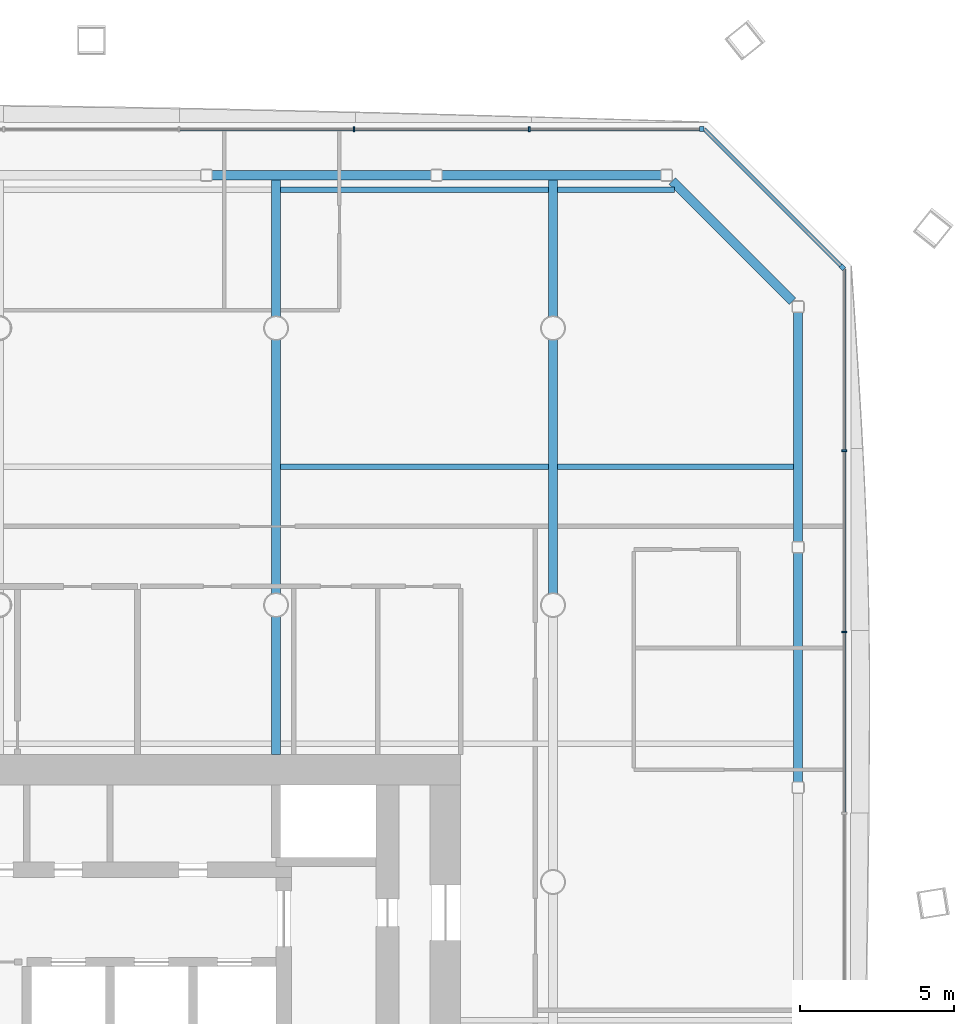
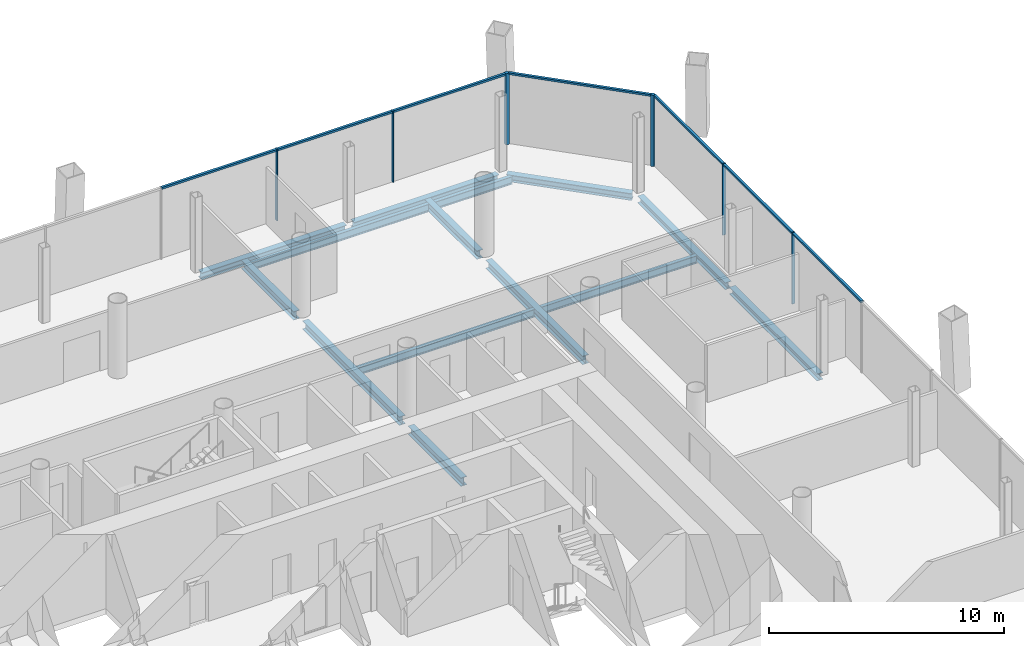
# One storey, part 9 of 19: 14 beams, 13 members, 3 elements without a shape of their own.
"""IFC4 building model written with IfcOpenShell, lengths in metres."""

import ifcopenshell
import ifcopenshell.guid

model = None  # the IFC model being written
_history = None  # IfcOwnerHistory: only IFC2X3 demands one
_inside = {}  # id of a spatial element -> (the spatial element, [elements in it])
_under = {}  # id of a project, library or spatial element -> (it, [spatial elements below it])
_declared = {}  # id of a project -> (the project, [libraries it declares])
_typed = {}  # id of a type object -> (the type object, [elements of that type])
_made_of = {}  # id of a material, layer set ... -> (it, [elements and type objects made of it])


def new_model(schema):
    """Start an empty IFC model of exactly this schema.

    Asked for "IFC4X3", IfcOpenShell would pick the latest addendum, in which some entities
    have other attributes; the version numbers below select the first issue.
    IFC2X3 requires an IfcOwnerHistory on every rooted entity: one is made here for all.
    """
    global model, _history
    if schema == "IFC4X3":
        model = ifcopenshell.file(schema_version=(4, 3, 0, 0))
    else:
        model = ifcopenshell.file(schema=schema)
    _inside.clear()
    _under.clear()
    _declared.clear()
    _typed.clear()
    _made_of.clear()
    _history = None
    if model.schema == "IFC2X3":
        org = make("IfcOrganization", Name="unknown")
        user = make(
            "IfcPersonAndOrganization",
            ThePerson=make("IfcPerson", FamilyName="unknown"),
            TheOrganization=org,
        )
        app = make(
            "IfcApplication",
            ApplicationDeveloper=org,
            Version="unknown",
            ApplicationFullName="unknown",
            ApplicationIdentifier="unknown",
        )
        _history = make(
            "IfcOwnerHistory",
            OwningUser=user,
            OwningApplication=app,
            ChangeAction="ADDED",
            CreationDate=0,
        )
    return model


def make(cls, **values):
    """One entity of the class cls with the attributes given. An attribute that is None is left unset."""
    return model.create_entity(
        cls, **{name: value for name, value in values.items() if value is not None}
    )


def rooted(cls, **values):
    """An entity with a GlobalId (a new one), such as an element, a storey or a relation."""
    return make(cls, GlobalId=ifcopenshell.guid.new(), OwnerHistory=_history, **values)


def si_unit(unit_type, name, prefix=None):
    """IfcSIUnit, for example si_unit("LENGTHUNIT", "METRE", prefix="MILLI")."""
    return make("IfcSIUnit", UnitType=unit_type, Prefix=prefix, Name=name)


def assignment(units):
    """IfcUnitAssignment: the units of a project."""
    return None if units is None else make("IfcUnitAssignment", Units=units)


def point(xyz):
    """IfcCartesianPoint."""
    return None if xyz is None else make("IfcCartesianPoint", Coordinates=xyz)


def direction(xyz):
    """IfcDirection."""
    return None if xyz is None else make("IfcDirection", DirectionRatios=xyz)


def frame(location, z_axis=None, x_axis=None):
    """IfcAxis2Placement3D, a coordinate frame: its origin and axes. An axis left out is left unset."""
    return make(
        "IfcAxis2Placement3D",
        Location=point(location),
        Axis=direction(z_axis),
        RefDirection=direction(x_axis),
    )


def frame_2d(location, x_axis=None):
    """IfcAxis2Placement2D, a coordinate frame in the plane: its origin and x axis."""
    return make(
        "IfcAxis2Placement2D", Location=point(location), RefDirection=direction(x_axis)
    )


def origin():
    """The frame at (0, 0, 0) with its axes left unset."""
    return frame((0.0, 0.0, 0.0))


def origin_2d():
    """The frame at (0, 0) in the plane with its x axis left unset."""
    return frame_2d((0.0, 0.0))


def place(relative_to, where):
    """IfcLocalPlacement: puts the frame where relative to a parent placement (None: the world)."""
    return make(
        "IfcLocalPlacement", PlacementRelTo=relative_to, RelativePlacement=where
    )


def context(
    kind, dimensions, precision=None, world=None, true_north=None, identifier=None
):
    """IfcGeometricRepresentationContext, for example the 3D "Model" context."""
    return make(
        "IfcGeometricRepresentationContext",
        ContextIdentifier=identifier,
        ContextType=kind,
        CoordinateSpaceDimension=dimensions,
        Precision=precision,
        WorldCoordinateSystem=world,
        TrueNorth=true_north,
    )


def subcontext(parent, identifier, kind, view, scale=None):
    """IfcGeometricRepresentationSubContext, for example "Body" below "Model"."""
    return make(
        "IfcGeometricRepresentationSubContext",
        ContextIdentifier=identifier,
        ContextType=kind,
        ParentContext=parent,
        TargetScale=scale,
        TargetView=view,
    )


def project(units=None, contexts=None):
    """IfcProject with its units and contexts."""
    return rooted(
        "IfcProject",
        Name="project",
        RepresentationContexts=contexts,
        UnitsInContext=assignment(units),
    )


def spatial(cls, under=None, at=None, **own):
    """A site, building, storey or space (cls), placed at a placement, below another one or the project."""
    s = rooted(cls, ObjectPlacement=at, **own)
    if under is not None:
        _under.setdefault(under.id(), (under, []))[1].append(s)
    return s


def profile(cls, at=None, kind="AREA", **sizes):
    """A parametric profile (cls). Its sizes go by their IFC names, for example OverallWidth=200.0."""
    return make(cls, ProfileType=kind, Position=at, **sizes)


def rectangle(**sizes):
    """IfcRectangleProfileDef."""
    return profile("IfcRectangleProfileDef", **sizes)


def i_section(**sizes):
    """IfcIShapeProfileDef."""
    return profile("IfcIShapeProfileDef", **sizes)


def extrude(swept, where, along, depth):
    """IfcExtrudedAreaSolid: the profile swept, set in the frame where, extruded along a direction by depth."""
    return make(
        "IfcExtrudedAreaSolid",
        SweptArea=swept,
        Position=where,
        ExtrudedDirection=direction(along),
        Depth=depth,
    )


def shape(context_of_items, identifier, shape_type, items):
    """IfcShapeRepresentation: the items that make up one representation, for example the "Body"."""
    return make(
        "IfcShapeRepresentation",
        ContextOfItems=context_of_items,
        RepresentationIdentifier=identifier,
        RepresentationType=shape_type,
        Items=items,
    )


def material(Name=None, Category=None):
    """IfcMaterial."""
    return make("IfcMaterial", Name=Name, Category=Category)


def material_profile(
    of_material, cross_section, Name=None, Category=None, Priority=None
):
    """IfcMaterialProfile: a cross section and its material."""
    return make(
        "IfcMaterialProfile",
        Name=Name,
        Material=of_material,
        Profile=cross_section,
        Priority=Priority,
        Category=Category,
    )


def profile_set(profiles, Name=None, composite=None):
    """IfcMaterialProfileSet."""
    return make(
        "IfcMaterialProfileSet",
        Name=Name,
        MaterialProfiles=profiles,
        CompositeProfile=composite,
    )


def made_of(thing, what):
    """Note that an element or type object is made of a material, layer set ...; save() writes the relation."""
    if what is not None:
        _made_of.setdefault(what.id(), (what, []))[1].append(thing)
    return thing


def type_object(cls, material=None, **own):
    """A type object (cls), such as IfcWallType, which elements share."""
    return made_of(rooted(cls, **own), material)


def element(
    cls,
    number,
    at=None,
    inside=None,
    cuts=None,
    type_object=None,
    material=None,
    context=None,
    identifier="Body",
    shape_type=None,
    held_by="IfcProductDefinitionShape",
    body=None,
    shapes=None,
    **own,
):
    """One element of the class cls, such as IfcWall. Its Tag is "e" and its number.

    at: its placement. inside: the storey or other place that contains it. cuts: it is an
    opening in that element (IfcRelVoidsElement). A single representation is given by context,
    identifier, shape_type and body (its items); several are given by shapes. held_by: the class
    of the entity that holds the representations. save() writes the other relations.
    """
    e = rooted(cls, Tag="e%d" % number, ObjectPlacement=at, **own)
    if body is not None:
        shapes = [shape(context, identifier, shape_type, body)]
    if shapes is not None:
        e.Representation = make(held_by, Representations=shapes)
    if inside is not None:
        _inside.setdefault(inside.id(), (inside, []))[1].append(e)
    if cuts is not None:
        rooted(
            "IfcRelVoidsElement", RelatingBuildingElement=cuts, RelatedOpeningElement=e
        )
    if type_object is not None:
        _typed.setdefault(type_object.id(), (type_object, []))[1].append(e)
    return made_of(e, material)


def aggregate(whole, parts):
    """IfcRelAggregates: a whole, such as a stair, and the parts it consists of."""
    return rooted("IfcRelAggregates", RelatingObject=whole, RelatedObjects=parts)


def save(model, path):
    """Write the relations noted so far, then the file.

    IfcRelAggregates (storeys below a building ...), IfcRelContainedInSpatialStructure (elements
    in a storey), IfcRelDefinesByType, IfcRelAssociatesMaterial and IfcRelDeclares: one each for
    every whole, place, type object, material and project.
    """
    for whole, parts in _under.values():
        aggregate(whole, parts)
    for where, things in _inside.values():
        rooted(
            "IfcRelContainedInSpatialStructure",
            RelatedElements=things,
            RelatingStructure=where,
        )
    for kind, things in _typed.values():
        rooted("IfcRelDefinesByType", RelatedObjects=things, RelatingType=kind)
    for what, things in _made_of.values():
        rooted("IfcRelAssociatesMaterial", RelatedObjects=things, RelatingMaterial=what)
    for by, libraries in _declared.values():
        rooted("IfcRelDeclares", RelatingContext=by, RelatedDefinitions=libraries)
    model.write(path)


model = new_model("IFC4")

# Units and contexts
model_context = context("Model", 3, precision=1e-05, world=origin(), true_north=direction((0.0, 1.0)))
body_context = subcontext(model_context, "Body", "Model", "MODEL_VIEW")
ifc_project = project(units=[si_unit("LENGTHUNIT", "METRE"), si_unit("AREAUNIT", "SQUARE_METRE"), si_unit("VOLUMEUNIT", "CUBIC_METRE"), si_unit("PLANEANGLEUNIT", "RADIAN"), si_unit("MASSUNIT", "GRAM", prefix="KILO")], contexts=[model_context])

# Site, building, storey
site_placement = place(None, origin())
site = spatial("IfcSite", under=ifc_project, at=site_placement, CompositionType="ELEMENT")
building_placement = place(site_placement, origin())
building = spatial("IfcBuilding", under=site, at=building_placement, Name="Tskaro Facet Tower", CompositionType="ELEMENT")
storey_placement = place(building_placement, frame((0.0, 0.0, 89.39990234375)))
storey = spatial("IfcBuildingStorey", under=building, at=storey_placement, Name="L21", CompositionType="ELEMENT", Elevation=89.39990234375)

# Curtain wall, member
ifc_material_1 = material(Name="Bronze anodised aluminium 6063-T6", Category="aluminium")
curtain_wall_type = type_object("IfcCurtainWallType", Name="Bronze office curtain wall (FW1)", PredefinedType="NOTDEFINED", material=ifc_material_1)
curtain_wall_1_placement = place(storey_placement, origin())
curtain_wall_1 = element("IfcCurtainWall", 1, at=curtain_wall_1_placement, inside=storey, type_object=curtain_wall_type, Name="FW1 north-east facet L21", PredefinedType="NOTDEFINED")
ifc_material_profile_1 = material_profile(ifc_material_1, rectangle(XDim=0.159912109375, YDim=0.159912109375, at=origin_2d()), Name="Corner post 160x160")
ifc_profile_set_1 = profile_set([ifc_material_profile_1], Name="Bronze anodised aluminium 6063-T6")
member_type_1 = type_object("IfcMemberType", Name="FW1 bronze corner post 160x160", PredefinedType="MULLION", material=ifc_profile_set_1)
member_1_placement = place(storey_placement, frame((27.406494140625, 19.969482421875, 0.0), z_axis=(0.0, 0.0, 1.0), x_axis=(-0.707106781187, 0.707106781187, 0.0)))
member_1 = element("IfcMember", 2, at=member_1_placement, type_object=member_type_1, Name="FW1 north-east corner post", PredefinedType="MULLION", context=body_context, shape_type="SweptSolid", body=[
    extrude(rectangle(XDim=0.159912109375, YDim=0.159912109375, at=origin_2d()), origin(), (0.0, 0.0, 1.0), 3.7001953125),
])

curtain_wall_2_placement = place(storey_placement, origin())
curtain_wall_2 = element("IfcCurtainWall", 3, at=curtain_wall_2_placement, inside=storey, type_object=curtain_wall_type, Name="FW1 north facet L21", PredefinedType="NOTDEFINED")
member_2_placement = place(storey_placement, frame((22.8330078125, 24.462890625, 0.0), z_axis=(0.0, 0.0, 1.0), x_axis=(-1.0, 0.0, 0.0)))
member_2 = element("IfcMember", 4, at=member_2_placement, type_object=member_type_1, Name="FW1 north corner post", PredefinedType="MULLION", context=body_context, shape_type="SweptSolid", body=[
    extrude(rectangle(XDim=0.159912109375, YDim=0.159912109375, at=origin_2d()), origin(), (0.0, 0.0, 1.0), 3.7001953125),
])

# Curtain wall, members
curtain_wall_3_placement = place(storey_placement, origin())
curtain_wall_3 = element("IfcCurtainWall", 5, at=curtain_wall_3_placement, inside=storey, type_object=curtain_wall_type, Name="FW1 east facet L21", PredefinedType="NOTDEFINED")
ifc_material_profile_2 = material_profile(ifc_material_1, rectangle(XDim=0.06005859375, YDim=0.159912109375, at=origin_2d()), Name="Mullion 60x160")
ifc_profile_set_2 = profile_set([ifc_material_profile_2], Name="Bronze anodised aluminium 6063-T6")
member_type_2 = type_object("IfcMemberType", Name="FW1 bronze mullion 60x160", PredefinedType="MULLION", material=ifc_profile_set_2)
member_3_placement = place(storey_placement, frame((27.462890625, 8.1240234375, 0.0), z_axis=(0.0, 0.0, 1.0), x_axis=(0.0, 1.0, 0.0)))
member_3 = element("IfcMember", 6, at=member_3_placement, type_object=member_type_2, Name="FW1 east mullion 5", PredefinedType="MULLION", context=body_context, shape_type="SweptSolid", body=[
    extrude(rectangle(XDim=0.06005859375, YDim=0.159912109375, at=origin_2d()), origin(), (0.0, 0.0, 1.0), 3.7001953125),
])
member_4_placement = place(storey_placement, frame((27.462890625, 14.0185546875, 0.0), z_axis=(0.0, 0.0, 1.0), x_axis=(0.0, 1.0, 0.0)))
member_4 = element("IfcMember", 7, at=member_4_placement, type_object=member_type_2, Name="FW1 east mullion 6", PredefinedType="MULLION", context=body_context, shape_type="SweptSolid", body=[
    extrude(rectangle(XDim=0.06005859375, YDim=0.159912109375, at=origin_2d()), origin(), (0.0, 0.0, 1.0), 3.7001953125),
])

# Member
member_5_placement = place(storey_placement, frame((17.2236328125, 24.462890625, 0.0), z_axis=(0.0, 0.0, 1.0), x_axis=(-1.0, 0.0, 0.0)))
member_5 = element("IfcMember", 8, at=member_5_placement, type_object=member_type_2, Name="FW1 north mullion 1", PredefinedType="MULLION", context=body_context, shape_type="SweptSolid", body=[
    extrude(rectangle(XDim=0.06005859375, YDim=0.159912109375, at=origin_2d()), origin(), (0.0, 0.0, 1.0), 3.7001953125),
])

member_6_placement = place(storey_placement, frame((11.5341796875, 24.462890625, 0.0), z_axis=(0.0, 0.0, 1.0), x_axis=(-1.0, 0.0, 0.0)))
member_6 = element("IfcMember", 9, at=member_6_placement, type_object=member_type_2, Name="FW1 north mullion 2", PredefinedType="MULLION", context=body_context, shape_type="SweptSolid", body=[
    extrude(rectangle(XDim=0.06005859375, YDim=0.159912109375, at=origin_2d()), origin(), (0.0, 0.0, 1.0), 3.7001953125),
])

ifc_material_profile_3 = material_profile(ifc_material_1, rectangle(XDim=0.1201171875, YDim=0.10009765625, at=origin_2d()), Name="Transom 120x100")
ifc_profile_set_3 = profile_set([ifc_material_profile_3], Name="Bronze anodised aluminium 6063-T6")
member_type_3 = type_object("IfcMemberType", Name="FW1 bronze transom 120x100", PredefinedType="USERDEFINED", material=ifc_profile_set_3)
member_7_placement = place(storey_placement, frame((27.462890625, 2.259765625, 3.650146484375), z_axis=(0.0, 1.0, 0.0), x_axis=(-1.0, 0.0, 0.0)))
member_7 = element("IfcMember", 10, at=member_7_placement, type_object=member_type_3, Name="FW1 east transom 5.1", ObjectType="TRANSOM", PredefinedType="USERDEFINED", context=body_context, shape_type="SweptSolid", body=[
    extrude(rectangle(XDim=0.1201171875, YDim=0.10009765625, at=origin_2d()), origin(), (0.0, 0.0, 1.0), 5.83447265625),
])

member_8_placement = place(storey_placement, frame((27.462890625, 8.154052734375, 3.650146484375), z_axis=(0.0, 1.0, 0.0), x_axis=(-1.0, 0.0, 0.0)))
member_8 = element("IfcMember", 11, at=member_8_placement, type_object=member_type_3, Name="FW1 east transom 6.1", ObjectType="TRANSOM", PredefinedType="USERDEFINED", context=body_context, shape_type="SweptSolid", body=[
    extrude(rectangle(XDim=0.1201171875, YDim=0.10009765625, at=origin_2d()), origin(), (0.0, 0.0, 1.0), 5.83447265625),
])

member_9_placement = place(storey_placement, frame((27.462890625, 14.048583984375, 3.650146484375), z_axis=(0.0, 1.0, 0.0), x_axis=(-1.0, 0.0, 0.0)))
member_9 = element("IfcMember", 12, at=member_9_placement, type_object=member_type_3, Name="FW1 east transom 7.1", ObjectType="TRANSOM", PredefinedType="USERDEFINED", context=body_context, shape_type="SweptSolid", body=[
    extrude(rectangle(XDim=0.1201171875, YDim=0.10009765625, at=origin_2d()), origin(), (0.0, 0.0, 1.0), 5.864501953125),
])

aggregate(curtain_wall_3, [member_3, member_4, member_7, member_8, member_9])

member_10_placement = place(storey_placement, frame((27.349853515625, 20.026123046875, 3.650146484375), z_axis=(-0.707106781187, 0.707106781187, 0.0), x_axis=(-0.707106781187, -0.707106781187, 0.0)))
member_10 = element("IfcMember", 13, at=member_10_placement, type_object=member_type_3, Name="FW1 north-east transom 1.1", ObjectType="TRANSOM", PredefinedType="USERDEFINED", context=body_context, shape_type="SweptSolid", body=[
    extrude(rectangle(XDim=0.1201171875, YDim=0.10009765625, at=origin_2d()), origin(), (0.0, 0.0, 1.0), 6.274658203125),
])

aggregate(curtain_wall_1, [member_1, member_10])

member_11_placement = place(storey_placement, frame((22.7529296875, 24.462890625, 3.650146484375), z_axis=(-1.0, 0.0, 0.0), x_axis=(0.0, -1.0, 0.0)))
member_11 = element("IfcMember", 14, at=member_11_placement, type_object=member_type_3, Name="FW1 north transom 1.1", ObjectType="TRANSOM", PredefinedType="USERDEFINED", context=body_context, shape_type="SweptSolid", body=[
    extrude(rectangle(XDim=0.1201171875, YDim=0.10009765625, at=origin_2d()), origin(), (0.0, 0.0, 1.0), 5.499267578125),
])

member_12_placement = place(storey_placement, frame((17.193603515625, 24.462890625, 3.650146484375), z_axis=(-1.0, 0.0, 0.0), x_axis=(0.0, -1.0, 0.0)))
member_12 = element("IfcMember", 15, at=member_12_placement, type_object=member_type_3, Name="FW1 north transom 2.1", ObjectType="TRANSOM", PredefinedType="USERDEFINED", context=body_context, shape_type="SweptSolid", body=[
    extrude(rectangle(XDim=0.1201171875, YDim=0.10009765625, at=origin_2d()), origin(), (0.0, 0.0, 1.0), 5.62939453125),
])

member_13_placement = place(storey_placement, frame((11.504150390625, 24.462890625, 3.650146484375), z_axis=(-1.0, 0.0, 0.0), x_axis=(0.0, -1.0, 0.0)))
member_13 = element("IfcMember", 16, at=member_13_placement, type_object=member_type_3, Name="FW1 north transom 3.1", ObjectType="TRANSOM", PredefinedType="USERDEFINED", context=body_context, shape_type="SweptSolid", body=[
    extrude(rectangle(XDim=0.1201171875, YDim=0.10009765625, at=origin_2d()), origin(), (0.0, 0.0, 1.0), 5.62939453125),
])

aggregate(curtain_wall_2, [member_2, member_5, member_6, member_11, member_12, member_13])

# Beams
ifc_material_2 = material(Name="Steel S355J2", Category="steel")
ifc_material_profile_4 = material_profile(ifc_material_2, i_section(OverallWidth=0.300048828125, OverallDepth=0.360107421875, WebThickness=0.012451171875, FlangeThickness=0.0224609375, FilletRadius=0.027099609375, at=origin_2d()), Name="HE 360 B")
ifc_profile_set_4 = profile_set([ifc_material_profile_4], Name="Steel S355J2")
beam_type_1 = type_object("IfcBeamType", Name="HE 360 B ring beam", PredefinedType="BEAM", material=ifc_profile_set_4)
for number, where, z_axis, x_axis, name in (
    (17, (25.965087890625, 3.248046875, -0.31982421875), (0.0, 1.0, 0.0), (-1.0, 0.0, 0.0), "HE 360 B EB10-2"),
    (18, (25.965087890625, 11.05908203125, -0.31982421875), (0.0, 1.0, 0.0), (-1.0, 0.0, 0.0), "HE 360 B EB11-2"),
):
    element("IfcBeam", number, at=place(storey_placement, frame(where, z_axis=z_axis, x_axis=x_axis)), inside=storey, type_object=beam_type_1, Name=name, PredefinedType="BEAM", context=body_context, shape_type="SweptSolid", body=[
        extrude(i_section(OverallWidth=0.300048828125, OverallDepth=0.360107421875, WebThickness=0.012451171875, FlangeThickness=0.0224609375, FilletRadius=0.027099609375, at=origin_2d()), origin(), (0.0, 0.0, 1.0), 7.450927734375),
    ])
beam_1_placement = place(storey_placement, frame((25.779052734375, 18.8759765625, -0.31982421875), z_axis=(-0.707106781187, 0.707106781187, 0.0), x_axis=(-0.707106781187, -0.707106781187, 0.0)))
element("IfcBeam", 19, at=beam_1_placement, inside=storey, type_object=beam_type_1, Name="HE 360 B EB12-2", PredefinedType="BEAM", context=body_context, shape_type="SweptSolid", body=[
    extrude(i_section(OverallWidth=0.300048828125, OverallDepth=0.360107421875, WebThickness=0.012451171875, FlangeThickness=0.0224609375, FilletRadius=0.027099609375, at=origin_2d()), origin(), (0.0, 0.0, 1.0), 5.519775390625),
])
for number, where, z_axis, x_axis, name in (
    (20, (21.510009765625, 22.965087890625, -0.31982421875), (-1.0, 0.0, 0.0), (0.0, -1.0, 0.0), "HE 360 B EB13-2"),
    (21, (14.033935546875, 22.965087890625, -0.31982421875), (-1.0, 0.0, 0.0), (0.0, -1.0, 0.0), "HE 360 B EB14-2"),
):
    element("IfcBeam", number, at=place(storey_placement, frame(where, z_axis=z_axis, x_axis=x_axis)), inside=storey, type_object=beam_type_1, Name=name, PredefinedType="BEAM", context=body_context, shape_type="SweptSolid", body=[
        extrude(i_section(OverallWidth=0.300048828125, OverallDepth=0.360107421875, WebThickness=0.012451171875, FlangeThickness=0.0224609375, FilletRadius=0.027099609375, at=origin_2d()), origin(), (0.0, 0.0, 1.0), 7.115966796875),
    ])
ifc_material_profile_5 = material_profile(ifc_material_2, i_section(OverallWidth=0.300048828125, OverallDepth=0.43994140625, WebThickness=0.011474609375, FlangeThickness=0.02099609375, FilletRadius=0.027099609375, at=origin_2d()), Name="HE 450 A")
ifc_profile_set_5 = profile_set([ifc_material_profile_5], Name="Steel S355J2")
beam_type_2 = type_object("IfcBeamType", Name="HE 450 A girder", PredefinedType="BEAM", material=ifc_profile_set_5)
beam_2_placement = place(storey_placement, frame((9.0, 4.14990234375, -0.35986328125), z_axis=(0.0, 1.0, 0.0), x_axis=(-1.0, 0.0, 0.0)))
element("IfcBeam", 22, at=beam_2_placement, inside=storey, type_object=beam_type_2, Name="HE 450 A GB5-3-2", PredefinedType="BEAM", context=body_context, shape_type="SweptSolid", body=[
    extrude(i_section(OverallWidth=0.300048828125, OverallDepth=0.43994140625, WebThickness=0.011474609375, FlangeThickness=0.02099609375, FilletRadius=0.027099609375, at=origin_2d()), origin(), (0.0, 0.0, 1.0), 4.4736328125),
])
beam_3_placement = place(storey_placement, frame((9.0, 9.37646484375, -0.35986328125), z_axis=(0.0, 1.0, 0.0), x_axis=(-1.0, 0.0, 0.0)))
element("IfcBeam", 23, at=beam_3_placement, inside=storey, type_object=beam_type_2, Name="HE 450 A GB5-4-2", PredefinedType="BEAM", context=body_context, shape_type="SweptSolid", body=[
    extrude(i_section(OverallWidth=0.300048828125, OverallDepth=0.43994140625, WebThickness=0.011474609375, FlangeThickness=0.02099609375, FilletRadius=0.027099609375, at=origin_2d()), origin(), (0.0, 0.0, 1.0), 8.2470703125),
])
beam_4_placement = place(storey_placement, frame((9.0, 18.37646484375, -0.35986328125), z_axis=(0.0, 1.0, 0.0), x_axis=(-1.0, 0.0, 0.0)))
element("IfcBeam", 24, at=beam_4_placement, inside=storey, type_object=beam_type_2, Name="HE 450 A GB5-5-2", PredefinedType="BEAM", context=body_context, shape_type="SweptSolid", body=[
    extrude(i_section(OverallWidth=0.300048828125, OverallDepth=0.43994140625, WebThickness=0.011474609375, FlangeThickness=0.02099609375, FilletRadius=0.027099609375, at=origin_2d()), origin(), (0.0, 0.0, 1.0), 4.4384765625),
])
beam_5_placement = place(storey_placement, frame((18.0, 9.37646484375, -0.35986328125), z_axis=(0.0, 1.0, 0.0), x_axis=(-1.0, 0.0, 0.0)))
element("IfcBeam", 25, at=beam_5_placement, inside=storey, type_object=beam_type_2, Name="HE 450 A GB6-5-2", PredefinedType="BEAM", context=body_context, shape_type="SweptSolid", body=[
    extrude(i_section(OverallWidth=0.300048828125, OverallDepth=0.43994140625, WebThickness=0.011474609375, FlangeThickness=0.02099609375, FilletRadius=0.027099609375, at=origin_2d()), origin(), (0.0, 0.0, 1.0), 8.2470703125),
])
beam_6_placement = place(storey_placement, frame((18.0, 18.37646484375, -0.35986328125), z_axis=(0.0, 1.0, 0.0), x_axis=(-1.0, 0.0, 0.0)))
element("IfcBeam", 26, at=beam_6_placement, inside=storey, type_object=beam_type_2, Name="HE 450 A GB6-6-2", PredefinedType="BEAM", context=body_context, shape_type="SweptSolid", body=[
    extrude(i_section(OverallWidth=0.300048828125, OverallDepth=0.43994140625, WebThickness=0.011474609375, FlangeThickness=0.02099609375, FilletRadius=0.027099609375, at=origin_2d()), origin(), (0.0, 0.0, 1.0), 4.4384765625),
])
ifc_material_profile_6 = material_profile(ifc_material_2, i_section(OverallWidth=0.179931640625, OverallDepth=0.39990234375, WebThickness=0.008544921875, FlangeThickness=0.013427734375, FilletRadius=0.02099609375, at=origin_2d()), Name="IPE 400")
ifc_profile_set_6 = profile_set([ifc_material_profile_6], Name="Steel S355J2")
beam_type_3 = type_object("IfcBeamType", Name="IPE 400 secondary beam", PredefinedType="BEAM", material=ifc_profile_set_6)
beam_7_placement = place(storey_placement, frame((9.14990234375, 13.5, -0.33984375), z_axis=(1.0, 0.0, 0.0), x_axis=(0.0, 1.0, 0.0)))
element("IfcBeam", 27, at=beam_7_placement, inside=storey, type_object=beam_type_3, Name="IPE 400 SB5a-4-2", PredefinedType="BEAM", context=body_context, shape_type="SweptSolid", body=[
    extrude(i_section(OverallWidth=0.179931640625, OverallDepth=0.39990234375, WebThickness=0.008544921875, FlangeThickness=0.013427734375, FilletRadius=0.02099609375, at=origin_2d()), origin(), (0.0, 0.0, 1.0), 8.7001953125),
])
beam_8_placement = place(storey_placement, frame((18.14990234375, 13.5, -0.33984375), z_axis=(1.0, 0.0, 0.0), x_axis=(0.0, 1.0, 0.0)))
element("IfcBeam", 28, at=beam_8_placement, inside=storey, type_object=beam_type_3, Name="IPE 400 SB5a-5-2", PredefinedType="BEAM", context=body_context, shape_type="SweptSolid", body=[
    extrude(i_section(OverallWidth=0.179931640625, OverallDepth=0.39990234375, WebThickness=0.008544921875, FlangeThickness=0.013427734375, FilletRadius=0.02099609375, at=origin_2d()), origin(), (0.0, 0.0, 1.0), 7.6650390625),
])
beam_9_placement = place(storey_placement, frame((9.14990234375, 22.5, -0.33984375), z_axis=(1.0, 0.0, 0.0), x_axis=(0.0, 1.0, 0.0)))
element("IfcBeam", 29, at=beam_9_placement, inside=storey, type_object=beam_type_3, Name="IPE 400 SB6a-4-2", PredefinedType="BEAM", context=body_context, shape_type="SweptSolid", body=[
    extrude(i_section(OverallWidth=0.179931640625, OverallDepth=0.39990234375, WebThickness=0.008544921875, FlangeThickness=0.013427734375, FilletRadius=0.02099609375, at=origin_2d()), origin(), (0.0, 0.0, 1.0), 8.7001953125),
])
beam_10_placement = place(storey_placement, frame((18.14990234375, 22.5, -0.33984375), z_axis=(1.0, 0.0, 0.0), x_axis=(0.0, 1.0, 0.0)))
element("IfcBeam", 30, at=beam_10_placement, inside=storey, type_object=beam_type_3, Name="IPE 400 SB6a-5-2", PredefinedType="BEAM", context=body_context, shape_type="SweptSolid", body=[
    extrude(i_section(OverallWidth=0.179931640625, OverallDepth=0.39990234375, WebThickness=0.008544921875, FlangeThickness=0.013427734375, FilletRadius=0.02099609375, at=origin_2d()), origin(), (0.0, 0.0, 1.0), 3.793212890625),
])

save(model, "model.ifc")
